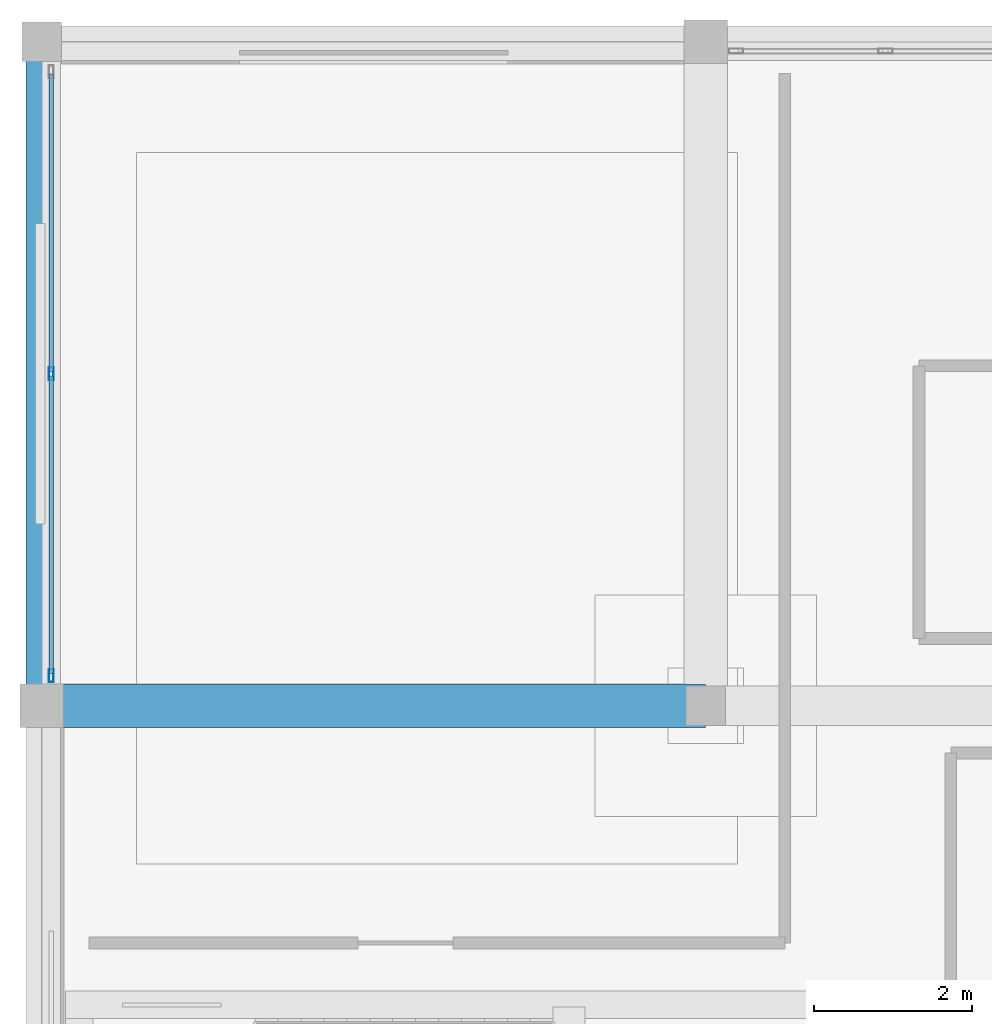
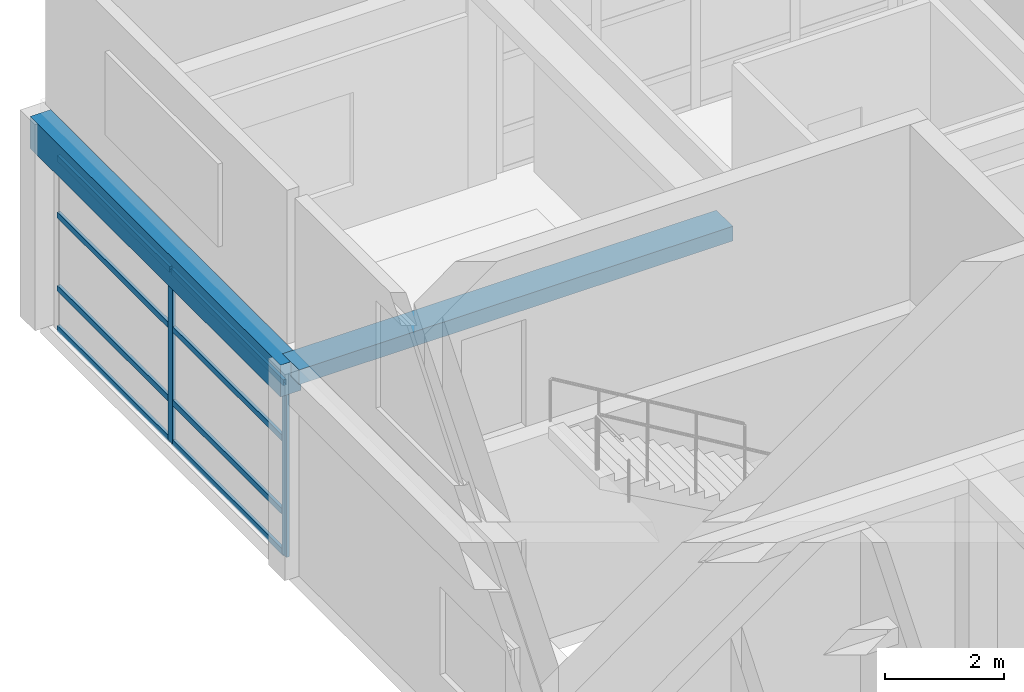
# One storey, part 8 of 17: 10 members, 2 beams, 1 element without a shape of its own.
"""IFC4 building model written with IfcOpenShell, lengths in metres."""

import ifcopenshell
import ifcopenshell.guid

model = None  # the IFC model being written
_history = None  # IfcOwnerHistory: only IFC2X3 demands one
_inside = {}  # id of a spatial element -> (the spatial element, [elements in it])
_under = {}  # id of a project, library or spatial element -> (it, [spatial elements below it])
_declared = {}  # id of a project -> (the project, [libraries it declares])
_typed = {}  # id of a type object -> (the type object, [elements of that type])
_made_of = {}  # id of a material, layer set ... -> (it, [elements and type objects made of it])


def new_model(schema):
    """Start an empty IFC model of exactly this schema.

    Asked for "IFC4X3", IfcOpenShell would pick the latest addendum, in which some entities
    have other attributes; the version numbers below select the first issue.
    IFC2X3 requires an IfcOwnerHistory on every rooted entity: one is made here for all.
    """
    global model, _history
    if schema == "IFC4X3":
        model = ifcopenshell.file(schema_version=(4, 3, 0, 0))
    else:
        model = ifcopenshell.file(schema=schema)
    _inside.clear()
    _under.clear()
    _declared.clear()
    _typed.clear()
    _made_of.clear()
    _history = None
    if model.schema == "IFC2X3":
        org = make("IfcOrganization", Name="unknown")
        user = make(
            "IfcPersonAndOrganization",
            ThePerson=make("IfcPerson", FamilyName="unknown"),
            TheOrganization=org,
        )
        app = make(
            "IfcApplication",
            ApplicationDeveloper=org,
            Version="unknown",
            ApplicationFullName="unknown",
            ApplicationIdentifier="unknown",
        )
        _history = make(
            "IfcOwnerHistory",
            OwningUser=user,
            OwningApplication=app,
            ChangeAction="ADDED",
            CreationDate=0,
        )
    return model


def make(cls, **values):
    """One entity of the class cls with the attributes given. An attribute that is None is left unset."""
    return model.create_entity(
        cls, **{name: value for name, value in values.items() if value is not None}
    )


def rooted(cls, **values):
    """An entity with a GlobalId (a new one), such as an element, a storey or a relation."""
    return make(cls, GlobalId=ifcopenshell.guid.new(), OwnerHistory=_history, **values)


def si_unit(unit_type, name, prefix=None):
    """IfcSIUnit, for example si_unit("LENGTHUNIT", "METRE", prefix="MILLI")."""
    return make("IfcSIUnit", UnitType=unit_type, Prefix=prefix, Name=name)


def assignment(units):
    """IfcUnitAssignment: the units of a project."""
    return None if units is None else make("IfcUnitAssignment", Units=units)


def point(xyz):
    """IfcCartesianPoint."""
    return None if xyz is None else make("IfcCartesianPoint", Coordinates=xyz)


def direction(xyz):
    """IfcDirection."""
    return None if xyz is None else make("IfcDirection", DirectionRatios=xyz)


def frame(location, z_axis=None, x_axis=None):
    """IfcAxis2Placement3D, a coordinate frame: its origin and axes. An axis left out is left unset."""
    return make(
        "IfcAxis2Placement3D",
        Location=point(location),
        Axis=direction(z_axis),
        RefDirection=direction(x_axis),
    )


def frame_2d(location, x_axis=None):
    """IfcAxis2Placement2D, a coordinate frame in the plane: its origin and x axis."""
    return make(
        "IfcAxis2Placement2D", Location=point(location), RefDirection=direction(x_axis)
    )


def origin():
    """The frame at (0, 0, 0) with its axes left unset."""
    return frame((0.0, 0.0, 0.0))


def origin_2d():
    """The frame at (0, 0) in the plane with its x axis left unset."""
    return frame_2d((0.0, 0.0))


def place(relative_to, where):
    """IfcLocalPlacement: puts the frame where relative to a parent placement (None: the world)."""
    return make(
        "IfcLocalPlacement", PlacementRelTo=relative_to, RelativePlacement=where
    )


def context(
    kind, dimensions, precision=None, world=None, true_north=None, identifier=None
):
    """IfcGeometricRepresentationContext, for example the 3D "Model" context."""
    return make(
        "IfcGeometricRepresentationContext",
        ContextIdentifier=identifier,
        ContextType=kind,
        CoordinateSpaceDimension=dimensions,
        Precision=precision,
        WorldCoordinateSystem=world,
        TrueNorth=true_north,
    )


def subcontext(parent, identifier, kind, view, scale=None):
    """IfcGeometricRepresentationSubContext, for example "Body" below "Model"."""
    return make(
        "IfcGeometricRepresentationSubContext",
        ContextIdentifier=identifier,
        ContextType=kind,
        ParentContext=parent,
        TargetScale=scale,
        TargetView=view,
    )


def project(units=None, contexts=None):
    """IfcProject with its units and contexts."""
    return rooted(
        "IfcProject",
        Name="project",
        RepresentationContexts=contexts,
        UnitsInContext=assignment(units),
    )


def spatial(cls, under=None, at=None, **own):
    """A site, building, storey or space (cls), placed at a placement, below another one or the project."""
    s = rooted(cls, ObjectPlacement=at, **own)
    if under is not None:
        _under.setdefault(under.id(), (under, []))[1].append(s)
    return s


def profile(cls, at=None, kind="AREA", **sizes):
    """A parametric profile (cls). Its sizes go by their IFC names, for example OverallWidth=200.0."""
    return make(cls, ProfileType=kind, Position=at, **sizes)


def rectangle(**sizes):
    """IfcRectangleProfileDef."""
    return profile("IfcRectangleProfileDef", **sizes)


def hollow_rectangle(**sizes):
    """IfcRectangleHollowProfileDef."""
    return profile("IfcRectangleHollowProfileDef", **sizes)


def extrude(swept, where, along, depth):
    """IfcExtrudedAreaSolid: the profile swept, set in the frame where, extruded along a direction by depth."""
    return make(
        "IfcExtrudedAreaSolid",
        SweptArea=swept,
        Position=where,
        ExtrudedDirection=direction(along),
        Depth=depth,
    )


def shape(context_of_items, identifier, shape_type, items):
    """IfcShapeRepresentation: the items that make up one representation, for example the "Body"."""
    return make(
        "IfcShapeRepresentation",
        ContextOfItems=context_of_items,
        RepresentationIdentifier=identifier,
        RepresentationType=shape_type,
        Items=items,
    )


def material(Name=None, Category=None):
    """IfcMaterial."""
    return make("IfcMaterial", Name=Name, Category=Category)


def material_profile(
    of_material, cross_section, Name=None, Category=None, Priority=None
):
    """IfcMaterialProfile: a cross section and its material."""
    return make(
        "IfcMaterialProfile",
        Name=Name,
        Material=of_material,
        Profile=cross_section,
        Priority=Priority,
        Category=Category,
    )


def profile_set(profiles, Name=None, composite=None):
    """IfcMaterialProfileSet."""
    return make(
        "IfcMaterialProfileSet",
        Name=Name,
        MaterialProfiles=profiles,
        CompositeProfile=composite,
    )


def made_of(thing, what):
    """Note that an element or type object is made of a material, layer set ...; save() writes the relation."""
    if what is not None:
        _made_of.setdefault(what.id(), (what, []))[1].append(thing)
    return thing


def type_object(cls, material=None, **own):
    """A type object (cls), such as IfcWallType, which elements share."""
    return made_of(rooted(cls, **own), material)


def element(
    cls,
    number,
    at=None,
    inside=None,
    cuts=None,
    type_object=None,
    material=None,
    context=None,
    identifier="Body",
    shape_type=None,
    held_by="IfcProductDefinitionShape",
    body=None,
    shapes=None,
    **own,
):
    """One element of the class cls, such as IfcWall. Its Tag is "e" and its number.

    at: its placement. inside: the storey or other place that contains it. cuts: it is an
    opening in that element (IfcRelVoidsElement). A single representation is given by context,
    identifier, shape_type and body (its items); several are given by shapes. held_by: the class
    of the entity that holds the representations. save() writes the other relations.
    """
    e = rooted(cls, Tag="e%d" % number, ObjectPlacement=at, **own)
    if body is not None:
        shapes = [shape(context, identifier, shape_type, body)]
    if shapes is not None:
        e.Representation = make(held_by, Representations=shapes)
    if inside is not None:
        _inside.setdefault(inside.id(), (inside, []))[1].append(e)
    if cuts is not None:
        rooted(
            "IfcRelVoidsElement", RelatingBuildingElement=cuts, RelatedOpeningElement=e
        )
    if type_object is not None:
        _typed.setdefault(type_object.id(), (type_object, []))[1].append(e)
    return made_of(e, material)


def aggregate(whole, parts):
    """IfcRelAggregates: a whole, such as a stair, and the parts it consists of."""
    return rooted("IfcRelAggregates", RelatingObject=whole, RelatedObjects=parts)


def save(model, path):
    """Write the relations noted so far, then the file.

    IfcRelAggregates (storeys below a building ...), IfcRelContainedInSpatialStructure (elements
    in a storey), IfcRelDefinesByType, IfcRelAssociatesMaterial and IfcRelDeclares: one each for
    every whole, place, type object, material and project.
    """
    for whole, parts in _under.values():
        aggregate(whole, parts)
    for where, things in _inside.values():
        rooted(
            "IfcRelContainedInSpatialStructure",
            RelatedElements=things,
            RelatingStructure=where,
        )
    for kind, things in _typed.values():
        rooted("IfcRelDefinesByType", RelatedObjects=things, RelatingType=kind)
    for what, things in _made_of.values():
        rooted("IfcRelAssociatesMaterial", RelatedObjects=things, RelatingMaterial=what)
    for by, libraries in _declared.values():
        rooted("IfcRelDeclares", RelatingContext=by, RelatedDefinitions=libraries)
    model.write(path)


model = new_model("IFC4")

# Units and contexts
model_context = context("Model", 3, precision=1e-05, world=origin(), true_north=direction((0.0, 1.0)))
body_context = subcontext(model_context, "Body", "Model", "MODEL_VIEW")
ifc_project = project(units=[si_unit("LENGTHUNIT", "METRE"), si_unit("AREAUNIT", "SQUARE_METRE"), si_unit("VOLUMEUNIT", "CUBIC_METRE"), si_unit("PLANEANGLEUNIT", "RADIAN"), si_unit("MASSUNIT", "GRAM", prefix="KILO")], contexts=[model_context])

# Site, building, storey
site_placement = place(None, origin())
site = spatial("IfcSite", under=ifc_project, at=site_placement, CompositionType="ELEMENT")
building_placement = place(site_placement, origin())
building = spatial("IfcBuilding", under=site, at=building_placement, Name="Almacenes y Pasaje Nevantli", CompositionType="ELEMENT")
storey_placement = place(building_placement, frame((0.0, 0.0, 66.699951171875)))
storey = spatial("IfcBuildingStorey", under=building, at=storey_placement, Name="L16", CompositionType="ELEMENT", Elevation=66.699951171875)

# Beams
ifc_material_1 = material(Name="Concrete C35/45", Category="concrete")
ifc_material_profile_1 = material_profile(ifc_material_1, rectangle(XDim=0.39990234375, YDim=0.64990234375, at=origin_2d()), Name="RC-BM-400x650")
ifc_profile_set_1 = profile_set([ifc_material_profile_1], Name="Concrete C35/45")
beam_type_1 = type_object("IfcBeamType", Name="BM-RC-400x650", PredefinedType="SPANDREL", material=ifc_profile_set_1)
beam_1_placement = place(storey_placement, frame((117.60009765625, 84.0, 3.89501953125), z_axis=(0.0, 1.0, 0.0), x_axis=(-1.0, 0.0, 0.0)))
element("IfcBeam", 1, at=beam_1_placement, inside=storey, type_object=beam_type_1, Name="L16 North-South Reinforced Concrete Beam #4057", PredefinedType="SPANDREL", context=body_context, shape_type="SweptSolid", body=[
    extrude(rectangle(XDim=0.39990234375, YDim=0.64990234375, at=origin_2d()), origin(), (0.0, 0.0, 1.0), 8.39990234375),
])
ifc_material_2 = material(Name="Concrete C35/45", Category="concrete")
ifc_material_profile_2 = material_profile(ifc_material_2, rectangle(XDim=0.550048828125, YDim=0.300048828125, at=origin_2d()), Name="RC-BM-550x300")
ifc_profile_set_2 = profile_set([ifc_material_profile_2], Name="Concrete C35/45")
beam_type_2 = type_object("IfcBeamType", Name="BM-RC-550x300", PredefinedType="BEAM", material=ifc_profile_set_2)
beam_2_placement = place(storey_placement, frame((117.60009765625, 84.0, 4.070068359375), z_axis=(1.0, 0.0, 0.0), x_axis=(0.0, 1.0, 0.0)))
element("IfcBeam", 2, at=beam_2_placement, inside=storey, type_object=beam_type_2, Name="L16 East-West Reinforced Concrete Beam #4049", PredefinedType="BEAM", context=body_context, shape_type="SweptSolid", body=[
    extrude(rectangle(XDim=0.550048828125, YDim=0.300048828125, at=origin_2d()), origin(), (0.0, 0.0, 1.0), 8.39990234375),
])

# Curtain wall, members
ifc_material_3 = material(Name="Thermally Broken Aluminium and Low-E Glass", Category="aluminium")
curtain_wall_type = type_object("IfcCurtainWallType", Name="CW-UNIT-TOWER", PredefinedType="USERDEFINED", material=ifc_material_3)
curtain_wall_placement = place(storey_placement, origin())
curtain_wall = element("IfcCurtainWall", 3, at=curtain_wall_placement, inside=storey, type_object=curtain_wall_type, Name="L16 Tower West Curtain Wall Bay 11", ObjectType="UNITIZED CURTAIN WALL", PredefinedType="USERDEFINED")
ifc_material_4 = material(Name="Thermally Broken Anodized Aluminium", Category="aluminium")
ifc_material_profile_3 = material_profile(ifc_material_4, hollow_rectangle(XDim=0.06005859375, YDim=0.159912109375, WallThickness=0.00390625, at=origin_2d()), Name="ALU-MUL-60x160")
ifc_profile_set_3 = profile_set([ifc_material_profile_3], Name="Thermally Broken Anodized Aluminium")
member_type_1 = type_object("IfcMemberType", Name="CW-MUL-180", PredefinedType="MULLION", material=ifc_profile_set_3)
member_1_placement = place(storey_placement, frame((117.719970703125, 84.3798828125, 0.0), z_axis=(0.0, 0.0, 1.0), x_axis=(-1.0, 0.0, 0.0)))
member_1 = element("IfcMember", 4, at=member_1_placement, type_object=member_type_1, Name="CW-L16-196 mullion 1", PredefinedType="MULLION", context=body_context, shape_type="SweptSolid", body=[
    extrude(hollow_rectangle(XDim=0.06005859375, YDim=0.159912109375, WallThickness=0.00390625, at=origin_2d()), origin(), (0.0, 0.0, 1.0), 3.5400390625),
])
member_2_placement = place(storey_placement, frame((117.719970703125, 88.199951171875, 0.0), z_axis=(0.0, 0.0, 1.0), x_axis=(-1.0, 0.0, 0.0)))
member_2 = element("IfcMember", 5, at=member_2_placement, type_object=member_type_1, Name="CW-L16-196 mullion 2", PredefinedType="MULLION", context=body_context, shape_type="SweptSolid", body=[
    extrude(hollow_rectangle(XDim=0.06005859375, YDim=0.159912109375, WallThickness=0.00390625, at=origin_2d()), origin(), (0.0, 0.0, 1.0), 3.5400390625),
])
ifc_material_5 = material(Name="Thermally Broken Anodized Aluminium", Category="aluminium")
ifc_material_profile_4 = material_profile(ifc_material_5, hollow_rectangle(XDim=0.06005859375, YDim=0.1201171875, WallThickness=0.00341796875, at=origin_2d()), Name="ALU-TRN-60x120")
ifc_profile_set_4 = profile_set([ifc_material_profile_4], Name="Thermally Broken Anodized Aluminium")
member_type_2 = type_object("IfcMemberType", Name="CW-TRN-130", PredefinedType="USERDEFINED", material=ifc_profile_set_4)
member_3_placement = place(storey_placement, frame((117.719970703125, 84.409912109375, 0.030029296875), z_axis=(0.0, 1.0, 0.0), x_axis=(-1.0, 0.0, 0.0)))
member_3 = element("IfcMember", 6, at=member_3_placement, type_object=member_type_2, Name="CW-L16-196 transom 1.1", ObjectType="TRANSOM", PredefinedType="USERDEFINED", context=body_context, shape_type="SweptSolid", body=[
    extrude(hollow_rectangle(XDim=0.06005859375, YDim=0.1201171875, WallThickness=0.00341796875, at=origin_2d()), origin(), (0.0, 0.0, 1.0), 3.760009765625),
])
member_4_placement = place(storey_placement, frame((117.719970703125, 84.409912109375, 0.85009765625), z_axis=(0.0, 1.0, 0.0), x_axis=(-1.0, 0.0, 0.0)))
member_4 = element("IfcMember", 7, at=member_4_placement, type_object=member_type_2, Name="CW-L16-196 transom 1.2", ObjectType="TRANSOM", PredefinedType="USERDEFINED", context=body_context, shape_type="SweptSolid", body=[
    extrude(hollow_rectangle(XDim=0.06005859375, YDim=0.1201171875, WallThickness=0.00341796875, at=origin_2d()), origin(), (0.0, 0.0, 1.0), 3.760009765625),
])
member_5_placement = place(storey_placement, frame((117.719970703125, 84.409912109375, 2.35009765625), z_axis=(0.0, 1.0, 0.0), x_axis=(-1.0, 0.0, 0.0)))
member_5 = element("IfcMember", 8, at=member_5_placement, type_object=member_type_2, Name="CW-L16-196 transom 1.3", ObjectType="TRANSOM", PredefinedType="USERDEFINED", context=body_context, shape_type="SweptSolid", body=[
    extrude(hollow_rectangle(XDim=0.06005859375, YDim=0.1201171875, WallThickness=0.00341796875, at=origin_2d()), origin(), (0.0, 0.0, 1.0), 3.760009765625),
])
member_6_placement = place(storey_placement, frame((117.719970703125, 84.409912109375, 3.510009765625), z_axis=(0.0, 1.0, 0.0), x_axis=(-1.0, 0.0, 0.0)))
member_6 = element("IfcMember", 9, at=member_6_placement, type_object=member_type_2, Name="CW-L16-196 transom 1.4", ObjectType="TRANSOM", PredefinedType="USERDEFINED", context=body_context, shape_type="SweptSolid", body=[
    extrude(hollow_rectangle(XDim=0.06005859375, YDim=0.1201171875, WallThickness=0.00341796875, at=origin_2d()), origin(), (0.0, 0.0, 1.0), 3.760009765625),
])
member_7_placement = place(storey_placement, frame((117.719970703125, 88.22998046875, 0.030029296875), z_axis=(0.0, 1.0, 0.0), x_axis=(-1.0, 0.0, 0.0)))
member_7 = element("IfcMember", 10, at=member_7_placement, type_object=member_type_2, Name="CW-L16-196 transom 2.1", ObjectType="TRANSOM", PredefinedType="USERDEFINED", context=body_context, shape_type="SweptSolid", body=[
    extrude(hollow_rectangle(XDim=0.06005859375, YDim=0.1201171875, WallThickness=0.00341796875, at=origin_2d()), origin(), (0.0, 0.0, 1.0), 3.760009765625),
])
member_8_placement = place(storey_placement, frame((117.719970703125, 88.22998046875, 0.85009765625), z_axis=(0.0, 1.0, 0.0), x_axis=(-1.0, 0.0, 0.0)))
member_8 = element("IfcMember", 11, at=member_8_placement, type_object=member_type_2, Name="CW-L16-196 transom 2.2", ObjectType="TRANSOM", PredefinedType="USERDEFINED", context=body_context, shape_type="SweptSolid", body=[
    extrude(hollow_rectangle(XDim=0.06005859375, YDim=0.1201171875, WallThickness=0.00341796875, at=origin_2d()), origin(), (0.0, 0.0, 1.0), 3.760009765625),
])
member_9_placement = place(storey_placement, frame((117.719970703125, 88.22998046875, 2.35009765625), z_axis=(0.0, 1.0, 0.0), x_axis=(-1.0, 0.0, 0.0)))
member_9 = element("IfcMember", 12, at=member_9_placement, type_object=member_type_2, Name="CW-L16-196 transom 2.3", ObjectType="TRANSOM", PredefinedType="USERDEFINED", context=body_context, shape_type="SweptSolid", body=[
    extrude(hollow_rectangle(XDim=0.06005859375, YDim=0.1201171875, WallThickness=0.00341796875, at=origin_2d()), origin(), (0.0, 0.0, 1.0), 3.760009765625),
])
member_10_placement = place(storey_placement, frame((117.719970703125, 88.22998046875, 3.510009765625), z_axis=(0.0, 1.0, 0.0), x_axis=(-1.0, 0.0, 0.0)))
member_10 = element("IfcMember", 13, at=member_10_placement, type_object=member_type_2, Name="CW-L16-196 transom 2.4", ObjectType="TRANSOM", PredefinedType="USERDEFINED", context=body_context, shape_type="SweptSolid", body=[
    extrude(hollow_rectangle(XDim=0.06005859375, YDim=0.1201171875, WallThickness=0.00341796875, at=origin_2d()), origin(), (0.0, 0.0, 1.0), 3.760009765625),
])
aggregate(curtain_wall, [member_1, member_2, member_3, member_4, member_5, member_6, member_7, member_8, member_9, member_10])

save(model, "model.ifc")
